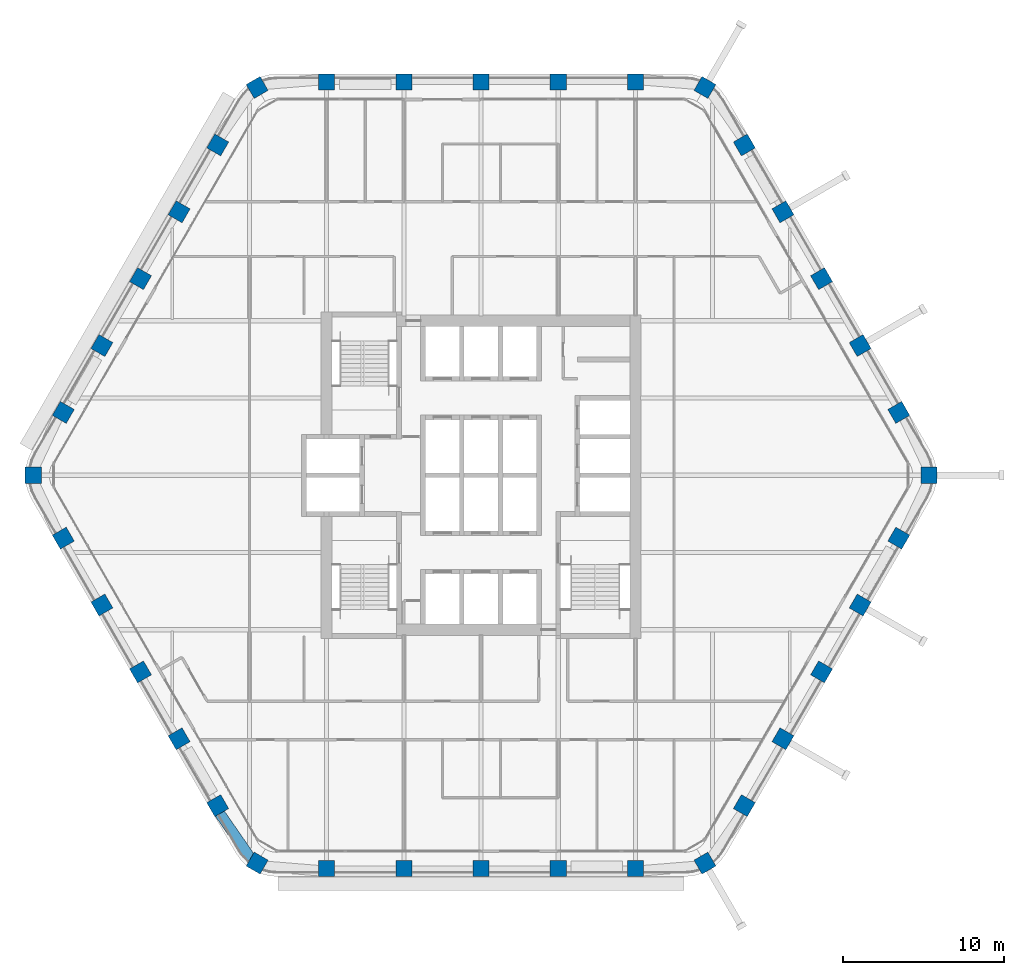
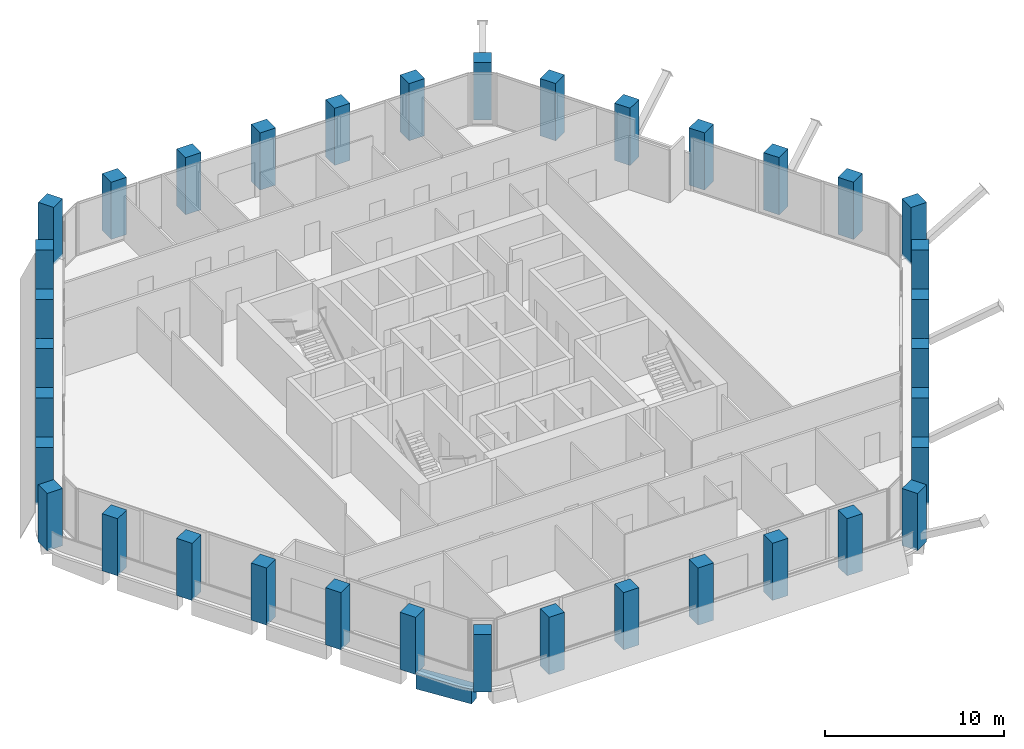
# One storey, part 1 of 16: 36 columns, 1 beam.
"""IFC4 building model written with IfcOpenShell, lengths in metres."""

from ifc_helpers import new_model, si_unit, direction, frame, origin, origin_2d, place, context, subcontext, project, spatial, rectangle, extrude, material, material_profile, profile_set, type_object, element, save


model = new_model("IFC4")

# Units and contexts
model_context = context("Model", 3, precision=1e-05, world=origin(), true_north=direction((0.0, 1.0)))
body_context = subcontext(model_context, "Body", "Model", "MODEL_VIEW")
ifc_project = project(units=[si_unit("LENGTHUNIT", "METRE"), si_unit("AREAUNIT", "SQUARE_METRE"), si_unit("VOLUMEUNIT", "CUBIC_METRE"), si_unit("PLANEANGLEUNIT", "RADIAN"), si_unit("MASSUNIT", "GRAM", prefix="KILO")], contexts=[model_context])

# Site, building, storey
site_placement = place(None, origin())
site = spatial("IfcSite", under=ifc_project, at=site_placement, CompositionType="ELEMENT")
building_placement = place(site_placement, origin())
building = spatial("IfcBuilding", under=site, at=building_placement, Name="Kolab Exchange Tower", CompositionType="ELEMENT")
storey_placement = place(building_placement, frame((0.0, 0.0, 177.800048828125)))
storey = spatial("IfcBuildingStorey", under=building, at=storey_placement, Name="L37", CompositionType="ELEMENT", Elevation=177.800048828125)

# Columns
ifc_material = material(Name="Concrete C60/75", Category="concrete")
ifc_material_profile_1 = material_profile(ifc_material, rectangle(XDim=1.0, YDim=1.0, at=origin_2d()), Name="RC1000")
ifc_profile_set_1 = profile_set([ifc_material_profile_1], Name="Concrete C60/75")
column_type = type_object("IfcColumnType", Name="PERIMETER COLUMN 1000 SQ C60/75", PredefinedType="COLUMN", material=ifc_profile_set_1)
for number, where, z_axis, x_axis, name in (
    (1, (-13.91796875, 24.106689453125, -0.150146484375), (0.0, 0.0, 1.0), (0.866025403784, 0.5, 0.0), "col/L37/F1-01"),
    (2, (-9.60009765625, 24.441650390625, -0.150146484375), (0.0, 0.0, 1.0), (1.0, 0.0, 0.0), "col/L37/F1-02"),
    (3, (-4.800048828125, 24.441650390625, -0.150146484375), (0.0, 0.0, 1.0), (1.0, 0.0, 0.0), "col/L37/F1-03"),
    (4, (0.0, 24.441650390625, -0.150146484375), (0.0, 0.0, 1.0), (1.0, 0.0, 0.0), "col/L37/F1-04"),
    (5, (4.800048828125, 24.441650390625, -0.150146484375), (0.0, 0.0, 1.0), (1.0, 0.0, 0.0), "col/L37/F1-05"),
    (6, (9.60009765625, 24.441650390625, -0.150146484375), (0.0, 0.0, 1.0), (1.0, 0.0, 0.0), "col/L37/F1-06"),
    (7, (13.91796875, 24.106689453125, -0.150146484375), (0.0, 0.0, 1.0), (0.5, 0.866025403784, 0.0), "col/L37/F2-01"),
    (8, (16.366943359375, 20.53466796875, -0.150146484375), (0.0, 0.0, 1.0), (0.866025403784, 0.5, 0.0), "col/L37/F2-02"),
    (9, (18.76708984375, 16.377685546875, -0.150146484375), (0.0, 0.0, 1.0), (0.866025403784, 0.5, 0.0), "col/L37/F2-03"),
    (10, (21.1669921875, 12.220703125, -0.150146484375), (0.0, 0.0, 1.0), (0.866025403784, 0.5, 0.0), "col/L37/F2-04"),
    (11, (23.56689453125, 8.06396484375, -0.150146484375), (0.0, 0.0, 1.0), (0.866025403784, 0.5, 0.0), "col/L37/F2-05"),
    (12, (25.967041015625, 3.906982421875, -0.150146484375), (0.0, 0.0, 1.0), (0.866025403784, 0.5, 0.0), "col/L37/F2-06"),
    (13, (27.8359375, 0.0, -0.150146484375), (0.0, 0.0, 1.0), (1.0, 0.0, 0.0), "col/L37/F3-01"),
    (14, (25.967041015625, -3.906982421875, -0.150146484375), (0.0, 0.0, 1.0), (0.5, 0.866025403784, 0.0), "col/L37/F3-02"),
    (15, (23.56689453125, -8.06396484375, -0.150146484375), (0.0, 0.0, 1.0), (0.5, 0.866025403784, 0.0), "col/L37/F3-03"),
    (16, (21.1669921875, -12.220703125, -0.150146484375), (0.0, 0.0, 1.0), (0.5, 0.866025403784, 0.0), "col/L37/F3-04"),
    (17, (18.76708984375, -16.377685546875, -0.150146484375), (0.0, 0.0, 1.0), (0.5, 0.866025403784, 0.0), "col/L37/F3-05"),
    (18, (16.366943359375, -20.53466796875, -0.150146484375), (0.0, 0.0, 1.0), (0.5, 0.866025403784, 0.0), "col/L37/F3-06"),
    (19, (13.91796875, -24.106689453125, -0.150146484375), (0.0, 0.0, 1.0), (0.866025403784, 0.5, 0.0), "col/L37/F4-01"),
    (20, (9.60009765625, -24.441650390625, -0.150146484375), (0.0, 0.0, 1.0), (1.0, 0.0, 0.0), "col/L37/F4-02"),
    (21, (4.800048828125, -24.441650390625, -0.150146484375), (0.0, 0.0, 1.0), (1.0, 0.0, 0.0), "col/L37/F4-03"),
    (22, (0.0, -24.441650390625, -0.150146484375), (0.0, 0.0, 1.0), (1.0, 0.0, 0.0), "col/L37/F4-04"),
    (23, (-4.800048828125, -24.441650390625, -0.150146484375), (0.0, 0.0, 1.0), (1.0, 0.0, 0.0), "col/L37/F4-05"),
    (24, (-9.60009765625, -24.441650390625, -0.150146484375), (0.0, 0.0, 1.0), (1.0, 0.0, 0.0), "col/L37/F4-06"),
    (25, (-13.91796875, -24.106689453125, -0.150146484375), (0.0, 0.0, 1.0), (0.5, 0.866025403784, 0.0), "col/L37/F5-01"),
    (26, (-16.366943359375, -20.53466796875, -0.150146484375), (0.0, 0.0, 1.0), (0.866025403784, 0.5, 0.0), "col/L37/F5-02"),
    (27, (-18.76708984375, -16.377685546875, -0.150146484375), (0.0, 0.0, 1.0), (0.866025403784, 0.5, 0.0), "col/L37/F5-03"),
    (28, (-21.1669921875, -12.220703125, -0.150146484375), (0.0, 0.0, 1.0), (0.866025403784, 0.5, 0.0), "col/L37/F5-04"),
    (29, (-23.56689453125, -8.06396484375, -0.150146484375), (0.0, 0.0, 1.0), (0.866025403784, 0.5, 0.0), "col/L37/F5-05"),
    (30, (-25.967041015625, -3.906982421875, -0.150146484375), (0.0, 0.0, 1.0), (0.866025403784, 0.5, 0.0), "col/L37/F5-06"),
    (31, (-27.8359375, 0.0, -0.150146484375), (0.0, 0.0, 1.0), (1.0, 0.0, 0.0), "col/L37/F6-01"),
    (32, (-25.967041015625, 3.906982421875, -0.150146484375), (0.0, 0.0, 1.0), (0.5, 0.866025403784, 0.0), "col/L37/F6-02"),
    (33, (-23.56689453125, 8.06396484375, -0.150146484375), (0.0, 0.0, 1.0), (0.5, 0.866025403784, 0.0), "col/L37/F6-03"),
    (34, (-21.1669921875, 12.220703125, -0.150146484375), (0.0, 0.0, 1.0), (0.5, 0.866025403784, 0.0), "col/L37/F6-04"),
    (35, (-18.76708984375, 16.377685546875, -0.150146484375), (0.0, 0.0, 1.0), (0.5, 0.866025403784, 0.0), "col/L37/F6-05"),
    (36, (-16.366943359375, 20.53466796875, -0.150146484375), (0.0, 0.0, 1.0), (0.5, 0.866025403784, 0.0), "col/L37/F6-06"),
):
    element("IfcColumn", number, at=place(storey_placement, frame(where, z_axis=z_axis, x_axis=x_axis)), inside=storey, type_object=column_type, Name=name, PredefinedType="COLUMN", context=body_context, shape_type="SweptSolid", body=[
        extrude(rectangle(XDim=1.0, YDim=1.0, at=origin_2d()), origin(), (0.0, 0.0, 1.0), 3.900146484375),
    ])

# Beam
ifc_material_profile_2 = material_profile(ifc_material, rectangle(XDim=0.64990234375, YDim=1.0, at=origin_2d()), Name="RC650X1000")
ifc_profile_set_2 = profile_set([ifc_material_profile_2], Name="Concrete C60/75")
beam_type = type_object("IfcBeamType", Name="SPANDREL BEAM 650X1000 C60/75", PredefinedType="BEAM", material=ifc_profile_set_2)
beam_placement = place(storey_placement, frame((-14.29736328125, -23.8359375, -0.650146484375), z_axis=(-0.568572281073, 0.822633309073, 0.0), x_axis=(-0.822633309073, -0.568572281073, 0.0)))
element("IfcBeam", 37, at=beam_placement, inside=storey, type_object=beam_type, Name="beam/L37/sp/F5-01", PredefinedType="BEAM", context=body_context, shape_type="SweptSolid", body=[
    extrude(rectangle(XDim=0.64990234375, YDim=1.0, at=origin_2d()), origin(), (0.0, 0.0, 1.0), 3.445068359375),
])

save(model, "model.ifc")
